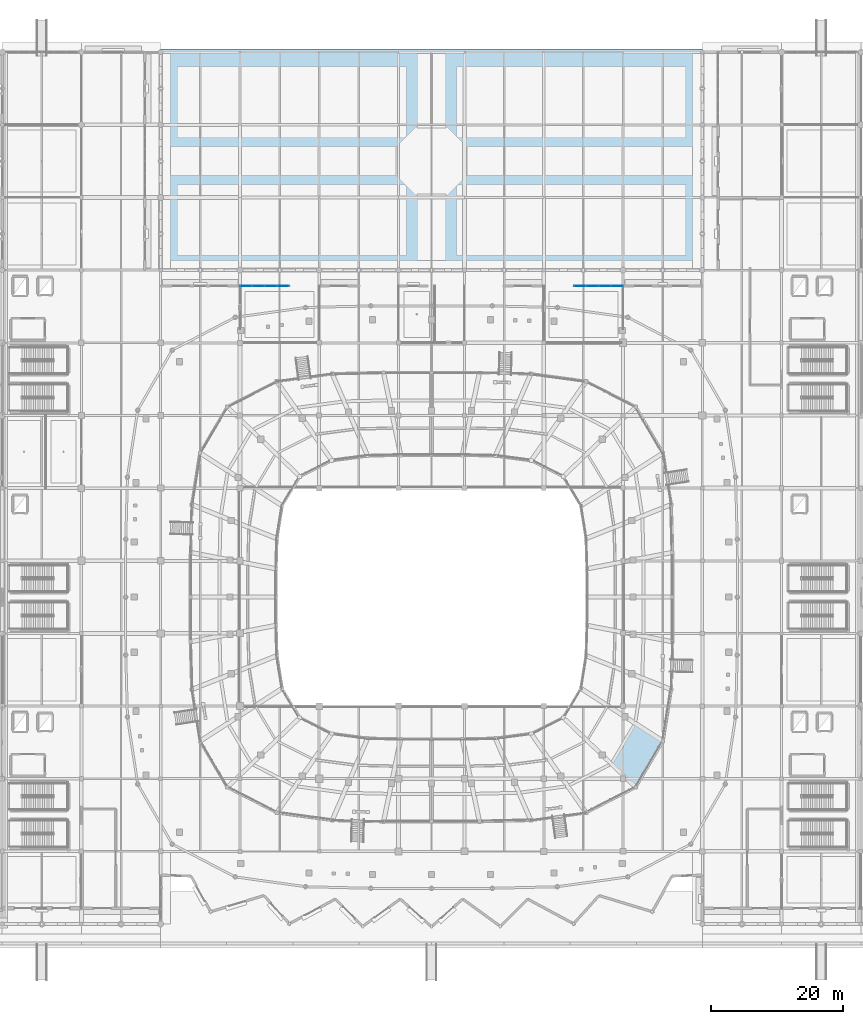
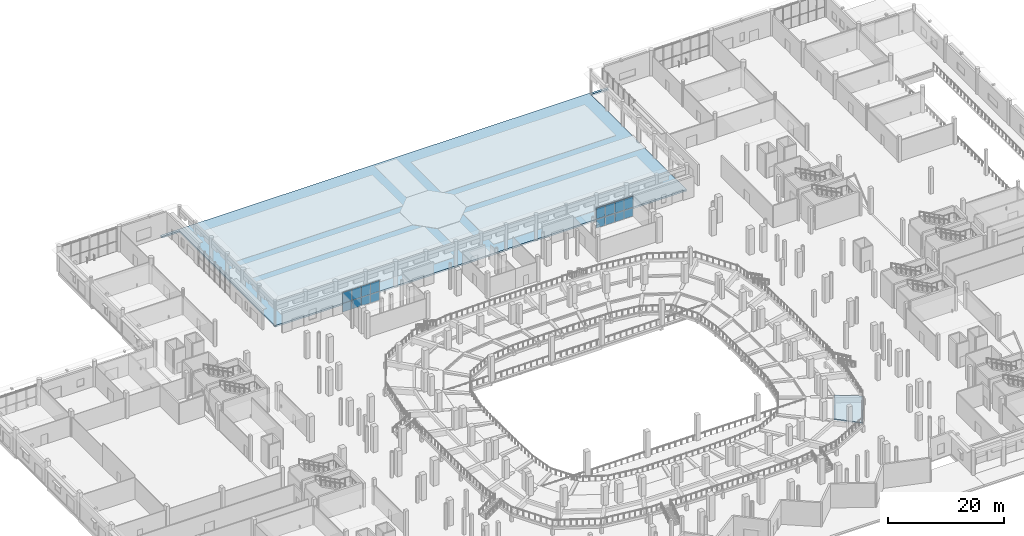
# One storey, part 47 of 120: 16 plates, 2 slabs, 2 elements without a shape of their own.
"""IFC4 building model written with IfcOpenShell, lengths in metres."""

import ifcopenshell
import ifcopenshell.guid

model = None  # the IFC model being written
_history = None  # IfcOwnerHistory: only IFC2X3 demands one
_inside = {}  # id of a spatial element -> (the spatial element, [elements in it])
_under = {}  # id of a project, library or spatial element -> (it, [spatial elements below it])
_declared = {}  # id of a project -> (the project, [libraries it declares])
_typed = {}  # id of a type object -> (the type object, [elements of that type])
_made_of = {}  # id of a material, layer set ... -> (it, [elements and type objects made of it])


def new_model(schema):
    """Start an empty IFC model of exactly this schema.

    Asked for "IFC4X3", IfcOpenShell would pick the latest addendum, in which some entities
    have other attributes; the version numbers below select the first issue.
    IFC2X3 requires an IfcOwnerHistory on every rooted entity: one is made here for all.
    """
    global model, _history
    if schema == "IFC4X3":
        model = ifcopenshell.file(schema_version=(4, 3, 0, 0))
    else:
        model = ifcopenshell.file(schema=schema)
    _inside.clear()
    _under.clear()
    _declared.clear()
    _typed.clear()
    _made_of.clear()
    _history = None
    if model.schema == "IFC2X3":
        org = make("IfcOrganization", Name="unknown")
        user = make(
            "IfcPersonAndOrganization",
            ThePerson=make("IfcPerson", FamilyName="unknown"),
            TheOrganization=org,
        )
        app = make(
            "IfcApplication",
            ApplicationDeveloper=org,
            Version="unknown",
            ApplicationFullName="unknown",
            ApplicationIdentifier="unknown",
        )
        _history = make(
            "IfcOwnerHistory",
            OwningUser=user,
            OwningApplication=app,
            ChangeAction="ADDED",
            CreationDate=0,
        )
    return model


def make(cls, **values):
    """One entity of the class cls with the attributes given. An attribute that is None is left unset."""
    return model.create_entity(
        cls, **{name: value for name, value in values.items() if value is not None}
    )


def rooted(cls, **values):
    """An entity with a GlobalId (a new one), such as an element, a storey or a relation."""
    return make(cls, GlobalId=ifcopenshell.guid.new(), OwnerHistory=_history, **values)


def si_unit(unit_type, name, prefix=None):
    """IfcSIUnit, for example si_unit("LENGTHUNIT", "METRE", prefix="MILLI")."""
    return make("IfcSIUnit", UnitType=unit_type, Prefix=prefix, Name=name)


def assignment(units):
    """IfcUnitAssignment: the units of a project."""
    return None if units is None else make("IfcUnitAssignment", Units=units)


def point(xyz):
    """IfcCartesianPoint."""
    return None if xyz is None else make("IfcCartesianPoint", Coordinates=xyz)


def direction(xyz):
    """IfcDirection."""
    return None if xyz is None else make("IfcDirection", DirectionRatios=xyz)


def frame(location, z_axis=None, x_axis=None):
    """IfcAxis2Placement3D, a coordinate frame: its origin and axes. An axis left out is left unset."""
    return make(
        "IfcAxis2Placement3D",
        Location=point(location),
        Axis=direction(z_axis),
        RefDirection=direction(x_axis),
    )


def frame_2d(location, x_axis=None):
    """IfcAxis2Placement2D, a coordinate frame in the plane: its origin and x axis."""
    return make(
        "IfcAxis2Placement2D", Location=point(location), RefDirection=direction(x_axis)
    )


def origin():
    """The frame at (0, 0, 0) with its axes left unset."""
    return frame((0.0, 0.0, 0.0))


def origin_2d():
    """The frame at (0, 0) in the plane with its x axis left unset."""
    return frame_2d((0.0, 0.0))


def place(relative_to, where):
    """IfcLocalPlacement: puts the frame where relative to a parent placement (None: the world)."""
    return make(
        "IfcLocalPlacement", PlacementRelTo=relative_to, RelativePlacement=where
    )


def context(
    kind, dimensions, precision=None, world=None, true_north=None, identifier=None
):
    """IfcGeometricRepresentationContext, for example the 3D "Model" context."""
    return make(
        "IfcGeometricRepresentationContext",
        ContextIdentifier=identifier,
        ContextType=kind,
        CoordinateSpaceDimension=dimensions,
        Precision=precision,
        WorldCoordinateSystem=world,
        TrueNorth=true_north,
    )


def subcontext(parent, identifier, kind, view, scale=None):
    """IfcGeometricRepresentationSubContext, for example "Body" below "Model"."""
    return make(
        "IfcGeometricRepresentationSubContext",
        ContextIdentifier=identifier,
        ContextType=kind,
        ParentContext=parent,
        TargetScale=scale,
        TargetView=view,
    )


def project(units=None, contexts=None):
    """IfcProject with its units and contexts."""
    return rooted(
        "IfcProject",
        Name="project",
        RepresentationContexts=contexts,
        UnitsInContext=assignment(units),
    )


def spatial(cls, under=None, at=None, **own):
    """A site, building, storey or space (cls), placed at a placement, below another one or the project."""
    s = rooted(cls, ObjectPlacement=at, **own)
    if under is not None:
        _under.setdefault(under.id(), (under, []))[1].append(s)
    return s


def polyline(points):
    """IfcPolyline through the points."""
    return make("IfcPolyline", Points=[point(p) for p in points])


def profile(cls, at=None, kind="AREA", **sizes):
    """A parametric profile (cls). Its sizes go by their IFC names, for example OverallWidth=200.0."""
    return make(cls, ProfileType=kind, Position=at, **sizes)


def rectangle(**sizes):
    """IfcRectangleProfileDef."""
    return profile("IfcRectangleProfileDef", **sizes)


def outline(outer, holes=None, kind="AREA"):
    """IfcArbitraryClosedProfileDef: a profile drawn as a closed curve; with holes, ...WithVoids."""
    if holes is None:
        return make("IfcArbitraryClosedProfileDef", ProfileType=kind, OuterCurve=outer)
    return make(
        "IfcArbitraryProfileDefWithVoids",
        ProfileType=kind,
        OuterCurve=outer,
        InnerCurves=holes,
    )


def extrude(swept, where, along, depth):
    """IfcExtrudedAreaSolid: the profile swept, set in the frame where, extruded along a direction by depth."""
    return make(
        "IfcExtrudedAreaSolid",
        SweptArea=swept,
        Position=where,
        ExtrudedDirection=direction(along),
        Depth=depth,
    )


def shape(context_of_items, identifier, shape_type, items):
    """IfcShapeRepresentation: the items that make up one representation, for example the "Body"."""
    return make(
        "IfcShapeRepresentation",
        ContextOfItems=context_of_items,
        RepresentationIdentifier=identifier,
        RepresentationType=shape_type,
        Items=items,
    )


def material(Name=None, Category=None):
    """IfcMaterial."""
    return make("IfcMaterial", Name=Name, Category=Category)


def layer(
    of_material, thickness, ventilated=None, Name=None, Category=None, Priority=None
):
    """IfcMaterialLayer: one layer of a wall or slab, of a material (None: an air gap)."""
    return make(
        "IfcMaterialLayer",
        Material=of_material,
        LayerThickness=thickness,
        IsVentilated=ventilated,
        Name=Name,
        Category=Category,
        Priority=Priority,
    )


def layer_set(layers, Name=None):
    """IfcMaterialLayerSet."""
    return make("IfcMaterialLayerSet", MaterialLayers=layers, LayerSetName=Name)


def made_of(thing, what):
    """Note that an element or type object is made of a material, layer set ...; save() writes the relation."""
    if what is not None:
        _made_of.setdefault(what.id(), (what, []))[1].append(thing)
    return thing


def type_object(cls, material=None, **own):
    """A type object (cls), such as IfcWallType, which elements share."""
    return made_of(rooted(cls, **own), material)


def element(
    cls,
    number,
    at=None,
    inside=None,
    cuts=None,
    type_object=None,
    material=None,
    context=None,
    identifier="Body",
    shape_type=None,
    held_by="IfcProductDefinitionShape",
    body=None,
    shapes=None,
    **own,
):
    """One element of the class cls, such as IfcWall. Its Tag is "e" and its number.

    at: its placement. inside: the storey or other place that contains it. cuts: it is an
    opening in that element (IfcRelVoidsElement). A single representation is given by context,
    identifier, shape_type and body (its items); several are given by shapes. held_by: the class
    of the entity that holds the representations. save() writes the other relations.
    """
    e = rooted(cls, Tag="e%d" % number, ObjectPlacement=at, **own)
    if body is not None:
        shapes = [shape(context, identifier, shape_type, body)]
    if shapes is not None:
        e.Representation = make(held_by, Representations=shapes)
    if inside is not None:
        _inside.setdefault(inside.id(), (inside, []))[1].append(e)
    if cuts is not None:
        rooted(
            "IfcRelVoidsElement", RelatingBuildingElement=cuts, RelatedOpeningElement=e
        )
    if type_object is not None:
        _typed.setdefault(type_object.id(), (type_object, []))[1].append(e)
    return made_of(e, material)


def aggregate(whole, parts):
    """IfcRelAggregates: a whole, such as a stair, and the parts it consists of."""
    return rooted("IfcRelAggregates", RelatingObject=whole, RelatedObjects=parts)


def save(model, path):
    """Write the relations noted so far, then the file.

    IfcRelAggregates (storeys below a building ...), IfcRelContainedInSpatialStructure (elements
    in a storey), IfcRelDefinesByType, IfcRelAssociatesMaterial and IfcRelDeclares: one each for
    every whole, place, type object, material and project.
    """
    for whole, parts in _under.values():
        aggregate(whole, parts)
    for where, things in _inside.values():
        rooted(
            "IfcRelContainedInSpatialStructure",
            RelatedElements=things,
            RelatingStructure=where,
        )
    for kind, things in _typed.values():
        rooted("IfcRelDefinesByType", RelatedObjects=things, RelatingType=kind)
    for what, things in _made_of.values():
        rooted("IfcRelAssociatesMaterial", RelatedObjects=things, RelatingMaterial=what)
    for by, libraries in _declared.values():
        rooted("IfcRelDeclares", RelatingContext=by, RelatedDefinitions=libraries)
    model.write(path)


model = new_model("IFC4")

# Units and contexts
model_context = context("Model", 3, precision=1e-05, world=origin(), true_north=direction((0.0, 1.0)))
body_context = subcontext(model_context, "Body", "Model", "MODEL_VIEW")
ifc_project = project(units=[si_unit("LENGTHUNIT", "METRE"), si_unit("AREAUNIT", "SQUARE_METRE"), si_unit("VOLUMEUNIT", "CUBIC_METRE"), si_unit("PLANEANGLEUNIT", "RADIAN"), si_unit("MASSUNIT", "GRAM", prefix="KILO")], contexts=[model_context])

# Site, building, storey
site_placement = place(None, origin())
site = spatial("IfcSite", under=ifc_project, at=site_placement, CompositionType="ELEMENT")
building_placement = place(site_placement, origin())
building = spatial("IfcBuilding", under=site, at=building_placement, Name="Luwafu Chhajja Arena", CompositionType="ELEMENT")
storey_placement = place(building_placement, origin())
storey = spatial("IfcBuildingStorey", under=building, at=storey_placement, Name="L00", CompositionType="ELEMENT", Elevation=0.0)

# Curtain wall, plates
ifc_material_1 = material(Name="Anodised bronze aluminium", Category="aluminium")
curtain_wall_type_1 = type_object("IfcCurtainWallType", Name="VIP Club Terrace Curtain Wall", PredefinedType="USERDEFINED", material=ifc_material_1)
curtain_wall_1_placement = place(storey_placement, origin())
curtain_wall_1 = element("IfcCurtainWall", 1, at=curtain_wall_1_placement, inside=storey, type_object=curtain_wall_type_1, Name="L00 Curtain Wall CWG-L00-H10_09", ObjectType="CURTAIN WALL", PredefinedType="USERDEFINED")
ifc_material_2 = material(Name="Solar-control laminated glass", Category="glass")
ifc_layer_1 = layer(ifc_material_2, 0.035888671875, Name="Solar-control laminated glass")
ifc_layer_set_1 = layer_set([ifc_layer_1], Name="Solar-control laminated glass")
plate_type_1 = type_object("IfcPlateType", Name="Acoustic Broadcast Double Glazed CW Panel 36", PredefinedType="CURTAIN_PANEL", material=ifc_layer_set_1)
plate_1_placement = place(storey_placement, frame((121.490966796875, 96.60009765625, 0.094970703125), z_axis=(0.0, 0.0, 1.0), x_axis=(1.0, 0.0, 0.0)))
plate_1 = element("IfcPlate", 2, at=plate_1_placement, type_object=plate_type_1, Name="CW-10 panel 1.1", PredefinedType="CURTAIN_PANEL", context=body_context, shape_type="SweptSolid", body=[
    extrude(rectangle(XDim=1.766845703125, YDim=0.035888671875, at=origin_2d()), origin(), (0.0, 0.0, 1.0), 1.83740234375),
])
plate_2_placement = place(storey_placement, frame((121.490966796875, 96.60009765625, 1.997314453125), z_axis=(0.0, 0.0, 1.0), x_axis=(1.0, 0.0, 0.0)))
plate_2 = element("IfcPlate", 3, at=plate_2_placement, type_object=plate_type_1, Name="CW-10 panel 1.2", PredefinedType="CURTAIN_PANEL", context=body_context, shape_type="SweptSolid", body=[
    extrude(rectangle(XDim=1.766845703125, YDim=0.035888671875, at=origin_2d()), origin(), (0.0, 0.0, 1.0), 2.30419921875),
])
plate_3_placement = place(storey_placement, frame((123.339111328125, 96.60009765625, 0.094970703125), z_axis=(0.0, 0.0, 1.0), x_axis=(1.0, 0.0, 0.0)))
plate_3 = element("IfcPlate", 4, at=plate_3_placement, type_object=plate_type_1, Name="CW-10 panel 2.1", PredefinedType="CURTAIN_PANEL", context=body_context, shape_type="SweptSolid", body=[
    extrude(rectangle(XDim=1.79931640625, YDim=0.035888671875, at=origin_2d()), origin(), (0.0, 0.0, 1.0), 1.83740234375),
])
plate_4_placement = place(storey_placement, frame((123.339111328125, 96.60009765625, 1.997314453125), z_axis=(0.0, 0.0, 1.0), x_axis=(1.0, 0.0, 0.0)))
plate_4 = element("IfcPlate", 5, at=plate_4_placement, type_object=plate_type_1, Name="CW-10 panel 2.2", PredefinedType="CURTAIN_PANEL", context=body_context, shape_type="SweptSolid", body=[
    extrude(rectangle(XDim=1.79931640625, YDim=0.035888671875, at=origin_2d()), origin(), (0.0, 0.0, 1.0), 2.30419921875),
])
plate_5_placement = place(storey_placement, frame((125.203369140625, 96.60009765625, 0.094970703125), z_axis=(0.0, 0.0, 1.0), x_axis=(1.0, 0.0, 0.0)))
plate_5 = element("IfcPlate", 6, at=plate_5_placement, type_object=plate_type_1, Name="CW-10 panel 3.1", PredefinedType="CURTAIN_PANEL", context=body_context, shape_type="SweptSolid", body=[
    extrude(rectangle(XDim=1.79931640625, YDim=0.035888671875, at=origin_2d()), origin(), (0.0, 0.0, 1.0), 1.83740234375),
])
plate_6_placement = place(storey_placement, frame((125.203369140625, 96.60009765625, 1.997314453125), z_axis=(0.0, 0.0, 1.0), x_axis=(1.0, 0.0, 0.0)))
plate_6 = element("IfcPlate", 7, at=plate_6_placement, type_object=plate_type_1, Name="CW-10 panel 3.2", PredefinedType="CURTAIN_PANEL", context=body_context, shape_type="SweptSolid", body=[
    extrude(rectangle(XDim=1.79931640625, YDim=0.035888671875, at=origin_2d()), origin(), (0.0, 0.0, 1.0), 2.30419921875),
])
plate_7_placement = place(storey_placement, frame((127.051513671875, 96.60009765625, 0.094970703125), z_axis=(0.0, 0.0, 1.0), x_axis=(1.0, 0.0, 0.0)))
plate_7 = element("IfcPlate", 8, at=plate_7_placement, type_object=plate_type_1, Name="CW-10 panel 4.1", PredefinedType="CURTAIN_PANEL", context=body_context, shape_type="SweptSolid", body=[
    extrude(rectangle(XDim=1.766845703125, YDim=0.035888671875, at=origin_2d()), origin(), (0.0, 0.0, 1.0), 1.83740234375),
])
plate_8_placement = place(storey_placement, frame((127.051513671875, 96.60009765625, 1.997314453125), z_axis=(0.0, 0.0, 1.0), x_axis=(1.0, 0.0, 0.0)))
plate_8 = element("IfcPlate", 9, at=plate_8_placement, type_object=plate_type_1, Name="CW-10 panel 4.2", PredefinedType="CURTAIN_PANEL", context=body_context, shape_type="SweptSolid", body=[
    extrude(rectangle(XDim=1.766845703125, YDim=0.035888671875, at=origin_2d()), origin(), (0.0, 0.0, 1.0), 2.30419921875),
])
aggregate(curtain_wall_1, [plate_1, plate_2, plate_3, plate_4, plate_5, plate_6, plate_7, plate_8])

curtain_wall_type_2 = type_object("IfcCurtainWallType", Name="Warm-Up Gallery Curtain Wall", PredefinedType="USERDEFINED", material=ifc_material_1)
curtain_wall_2_placement = place(storey_placement, origin())
curtain_wall_2 = element("IfcCurtainWall", 10, at=curtain_wall_2_placement, inside=storey, type_object=curtain_wall_type_2, Name="L00 Curtain Wall CWG-L00-H06_09", ObjectType="CURTAIN WALL", PredefinedType="USERDEFINED")
ifc_layer_2 = layer(ifc_material_1, 0.050048828125, Name="Anodised bronze aluminium")
ifc_layer_set_2 = layer_set([ifc_layer_2], Name="Anodised bronze aluminium")
plate_type_2 = type_object("IfcPlateType", Name="Insulated Bronze Spandrel Panel 50", PredefinedType="CURTAIN_PANEL", material=ifc_layer_set_2)
plate_9_placement = place(storey_placement, frame((70.94970703125, 96.60009765625, 0.10009765625), z_axis=(0.0, 0.0, 1.0), x_axis=(1.0, 0.0, 0.0)))
plate_9 = element("IfcPlate", 11, at=plate_9_placement, type_object=plate_type_2, Name="CW-08 panel 1.1", PredefinedType="CURTAIN_PANEL", context=body_context, shape_type="SweptSolid", body=[
    extrude(rectangle(XDim=1.75927734375, YDim=0.050048828125, at=origin_2d()), origin(), (0.0, 0.0, 1.0), 1.800048828125),
])
plate_10_placement = place(storey_placement, frame((70.94970703125, 96.60009765625, 1.97021484375), z_axis=(0.0, 0.0, 1.0), x_axis=(1.0, 0.0, 0.0)))
plate_10 = element("IfcPlate", 12, at=plate_10_placement, type_object=plate_type_2, Name="CW-08 panel 1.2", PredefinedType="CURTAIN_PANEL", context=body_context, shape_type="SweptSolid", body=[
    extrude(rectangle(XDim=1.75927734375, YDim=0.050048828125, at=origin_2d()), origin(), (0.0, 0.0, 1.0), 2.260009765625),
])
plate_11_placement = place(storey_placement, frame((72.796630859375, 96.60009765625, 0.10009765625), z_axis=(0.0, 0.0, 1.0), x_axis=(1.0, 0.0, 0.0)))
plate_11 = element("IfcPlate", 13, at=plate_11_placement, type_object=plate_type_2, Name="CW-08 panel 2.1", PredefinedType="CURTAIN_PANEL", context=body_context, shape_type="SweptSolid", body=[
    extrude(rectangle(XDim=1.79443359375, YDim=0.050048828125, at=origin_2d()), origin(), (0.0, 0.0, 1.0), 1.800048828125),
])
plate_12_placement = place(storey_placement, frame((72.796630859375, 96.60009765625, 1.97021484375), z_axis=(0.0, 0.0, 1.0), x_axis=(1.0, 0.0, 0.0)))
plate_12 = element("IfcPlate", 14, at=plate_12_placement, type_object=plate_type_2, Name="CW-08 panel 2.2", PredefinedType="CURTAIN_PANEL", context=body_context, shape_type="SweptSolid", body=[
    extrude(rectangle(XDim=1.79443359375, YDim=0.050048828125, at=origin_2d()), origin(), (0.0, 0.0, 1.0), 2.260009765625),
])
plate_13_placement = place(storey_placement, frame((74.660888671875, 96.60009765625, 0.10009765625), z_axis=(0.0, 0.0, 1.0), x_axis=(1.0, 0.0, 0.0)))
plate_13 = element("IfcPlate", 15, at=plate_13_placement, type_object=plate_type_2, Name="CW-08 panel 3.1", PredefinedType="CURTAIN_PANEL", context=body_context, shape_type="SweptSolid", body=[
    extrude(rectangle(XDim=1.79443359375, YDim=0.050048828125, at=origin_2d()), origin(), (0.0, 0.0, 1.0), 1.800048828125),
])
plate_14_placement = place(storey_placement, frame((74.660888671875, 96.60009765625, 1.97021484375), z_axis=(0.0, 0.0, 1.0), x_axis=(1.0, 0.0, 0.0)))
plate_14 = element("IfcPlate", 16, at=plate_14_placement, type_object=plate_type_2, Name="CW-08 panel 3.2", PredefinedType="CURTAIN_PANEL", context=body_context, shape_type="SweptSolid", body=[
    extrude(rectangle(XDim=1.79443359375, YDim=0.050048828125, at=origin_2d()), origin(), (0.0, 0.0, 1.0), 2.260009765625),
])
plate_15_placement = place(storey_placement, frame((76.5078125, 96.60009765625, 0.10009765625), z_axis=(0.0, 0.0, 1.0), x_axis=(1.0, 0.0, 0.0)))
plate_15 = element("IfcPlate", 17, at=plate_15_placement, type_object=plate_type_2, Name="CW-08 panel 4.1", PredefinedType="CURTAIN_PANEL", context=body_context, shape_type="SweptSolid", body=[
    extrude(rectangle(XDim=1.75927734375, YDim=0.050048828125, at=origin_2d()), origin(), (0.0, 0.0, 1.0), 1.800048828125),
])
plate_16_placement = place(storey_placement, frame((76.5078125, 96.60009765625, 1.97021484375), z_axis=(0.0, 0.0, 1.0), x_axis=(1.0, 0.0, 0.0)))
plate_16 = element("IfcPlate", 18, at=plate_16_placement, type_object=plate_type_2, Name="CW-08 panel 4.2", PredefinedType="CURTAIN_PANEL", context=body_context, shape_type="SweptSolid", body=[
    extrude(rectangle(XDim=1.75927734375, YDim=0.050048828125, at=origin_2d()), origin(), (0.0, 0.0, 1.0), 2.260009765625),
])
aggregate(curtain_wall_2, [plate_9, plate_10, plate_11, plate_12, plate_13, plate_14, plate_15, plate_16])

# Slabs
ifc_material_3 = material(Name="Precast concrete C40/50", Category="concrete")
ifc_layer_3 = layer(ifc_material_3, 0.219970703125, Name="Precast concrete C40/50")
ifc_layer_set_3 = layer_set([ifc_layer_3], Name="Precast concrete C40/50")
slab_type_1 = type_object("IfcSlabType", Name="Precast Lower Seating Tier Slab 220", PredefinedType="USERDEFINED", material=ifc_layer_set_3)
slab_1_placement = place(storey_placement, frame((0.0, 0.0, 1.6298828125)))
element("IfcSlab", 19, at=slab_1_placement, inside=storey, type_object=slab_type_1, Name="Stand Lower Tier Sector 29 Row Band 3", ObjectType="SEATING TIER", PredefinedType="USERDEFINED", context=body_context, shape_type="SweptSolid", body=[
    extrude(outline(polyline([(126.21630859375, 24.233642578125), (129.83544921875, 30.372802734375), (134.06201171875, 27.677001953125), (129.947021484375, 20.672607421875), (126.21630859375, 24.233642578125)])), origin(), (0.0, 0.0, 1.0), 0.22021484375),
])
ifc_material_4 = material(Name="Concrete C35/45", Category="concrete")
ifc_layer_4 = layer(ifc_material_4, 0.35009765625, Name="Concrete C35/45")
ifc_layer_set_4 = layer_set([ifc_layer_4], Name="Concrete C35/45")
slab_type_2 = type_object("IfcSlabType", Name="Service Apron Paving Slab 350", PredefinedType="BASESLAB", material=ifc_layer_set_4)
slab_2_placement = place(storey_placement, frame((0.0, 0.0, -0.35009765625)))
element("IfcSlab", 20, at=slab_2_placement, inside=storey, type_object=slab_type_2, Name="L00 Charbagh Courtyard Paving Terrace", PredefinedType="BASESLAB", context=body_context, shape_type="SweptSolid", body=[
    extrude(outline(polyline([(54.5, 132.47998046875), (143.5, 132.47998046875), (143.5, 132.0048828125), (139.9951171875, 132.0048828125), (139.9951171875, 99.0048828125), (58.0048828125, 99.0048828125), (58.0048828125, 132.0048828125), (54.5, 132.0048828125), (54.5, 132.47998046875)])), origin(), (0.0, 0.0, 1.0), 0.35009765625),
])

save(model, "model.ifc")
